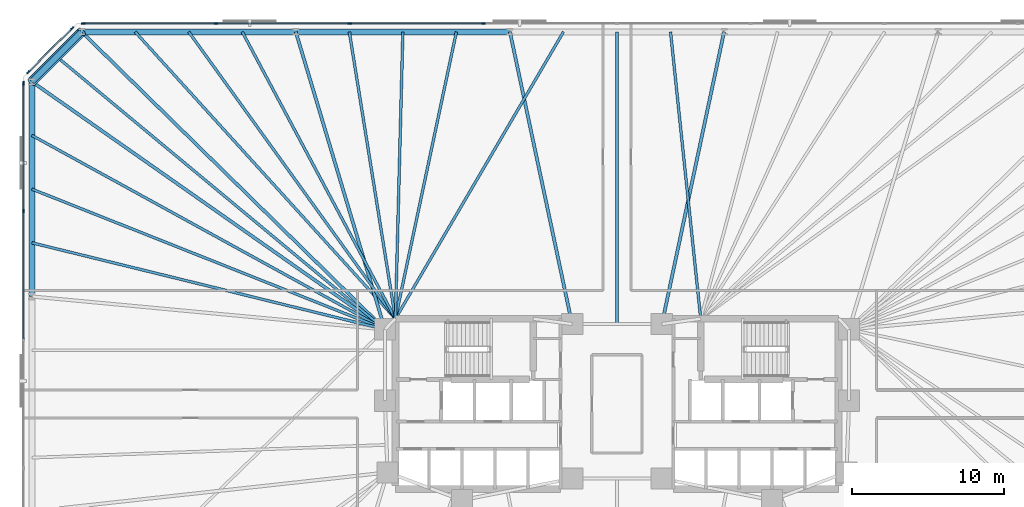
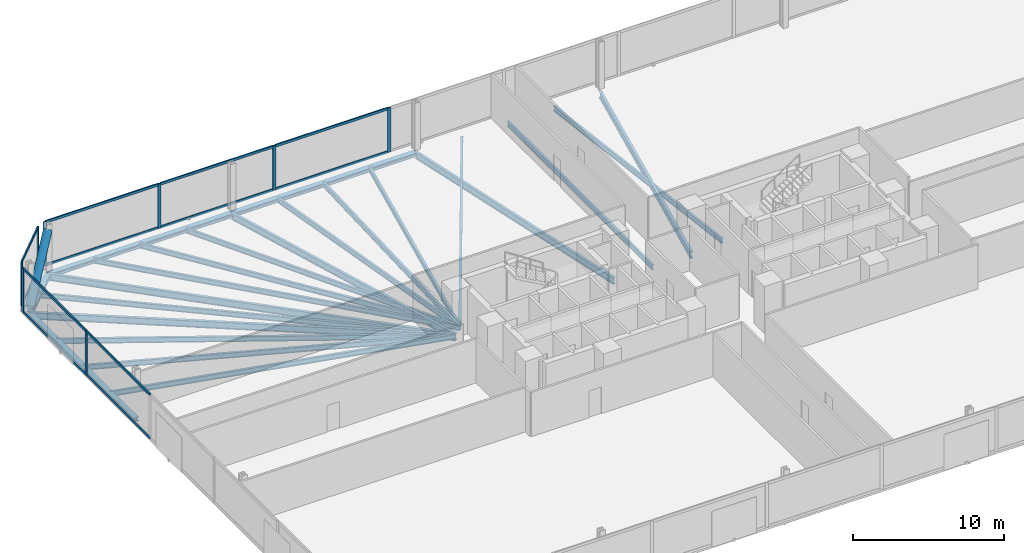
# One storey, part 8 of 16: 22 beams, 21 members, 3 elements without a shape of their own.
"""IFC4 building model written with IfcOpenShell, lengths in metres."""

from ifc_helpers import new_model, si_unit, direction, frame, origin, origin_2d, place, context, subcontext, project, spatial, rectangle, hollow_circle, i_section, extrude, material, material_profile, profile_set, type_object, element, aggregate, save


model = new_model("IFC4")

# Units and contexts
model_context = context("Model", 3, precision=1e-05, world=origin(), true_north=direction((0.0, 1.0)))
body_context = subcontext(model_context, "Body", "Model", "MODEL_VIEW")
ifc_project = project(units=[si_unit("LENGTHUNIT", "METRE"), si_unit("AREAUNIT", "SQUARE_METRE"), si_unit("VOLUMEUNIT", "CUBIC_METRE"), si_unit("PLANEANGLEUNIT", "RADIAN"), si_unit("MASSUNIT", "GRAM", prefix="KILO")], contexts=[model_context])

# Site, building, storey
site_placement = place(None, origin())
site = spatial("IfcSite", under=ifc_project, at=site_placement, CompositionType="ELEMENT")
building_placement = place(site_placement, origin())
building = spatial("IfcBuilding", under=site, at=building_placement, Name="Menara Jurai Vektor", CompositionType="ELEMENT")
storey_placement = place(building_placement, frame((0.0, 0.0, 14.199951171875)))
storey = spatial("IfcBuildingStorey", under=building, at=storey_placement, Name="L02", CompositionType="ELEMENT", Elevation=14.199951171875)

# Curtain wall, members
ifc_material_1 = material(Name="Anodised Pale Aluminium & Low-E Double Glazing", Category="aluminium")
curtain_wall_type = type_object("IfcCurtainWallType", Name="CW-BLK1", PredefinedType="NOTDEFINED", material=ifc_material_1)
curtain_wall_1_placement = place(storey_placement, origin())
curtain_wall_1 = element("IfcCurtainWall", 1, at=curtain_wall_1_placement, inside=storey, type_object=curtain_wall_type, Name="Unitised Curtain Wall L02 F05", PredefinedType="NOTDEFINED")
ifc_material_2 = material(Name="Anodised Pale Aluminium Mullion", Category="aluminium")
ifc_material_profile_1 = material_profile(ifc_material_2, rectangle(XDim=0.094970703125, YDim=0.239990234375, at=origin_2d()), Name="ALU MUL 95x240")
ifc_profile_set_1 = profile_set([ifc_material_profile_1], Name="Anodised Pale Aluminium Mullion")
member_type_1 = type_object("IfcMemberType", Name="CW-BLK1-MUL", PredefinedType="MULLION", material=ifc_profile_set_1)
member_1_placement = place(storey_placement, frame((-8.780029296875, 25.0, 0.0), z_axis=(0.0, 0.0, 1.0), x_axis=(0.0, -1.0, 0.0)))
member_1 = element("IfcMember", 2, at=member_1_placement, type_object=member_type_1, Name="CW-01 mullion 6", PredefinedType="MULLION", context=body_context, shape_type="SweptSolid", body=[
    extrude(rectangle(XDim=0.094970703125, YDim=0.239990234375, at=origin_2d()), origin(), (0.0, 0.0, 1.0), 3.574951171875),
])
member_2_placement = place(storey_placement, frame((-17.56005859375, 25.0, 0.0), z_axis=(0.0, 0.0, 1.0), x_axis=(0.0, -1.0, 0.0)))
member_2 = element("IfcMember", 3, at=member_2_placement, type_object=member_type_1, Name="CW-01 mullion 7", PredefinedType="MULLION", context=body_context, shape_type="SweptSolid", body=[
    extrude(rectangle(XDim=0.094970703125, YDim=0.239990234375, at=origin_2d()), origin(), (0.0, 0.0, 1.0), 3.574951171875),
])
member_3_placement = place(storey_placement, frame((-26.340087890625, 25.0, 0.0), z_axis=(0.0, 0.0, 1.0), x_axis=(0.0, -1.0, 0.0)))
member_3 = element("IfcMember", 4, at=member_3_placement, type_object=member_type_1, Name="CW-01 mullion 8", PredefinedType="MULLION", context=body_context, shape_type="SweptSolid", body=[
    extrude(rectangle(XDim=0.094970703125, YDim=0.239990234375, at=origin_2d()), origin(), (0.0, 0.0, 1.0), 3.574951171875),
])
member_4_placement = place(storey_placement, frame((-35.072509765625, 25.0, 0.0), z_axis=(0.0, 0.0, 1.0), x_axis=(0.0, -1.0, 0.0)))
member_4 = element("IfcMember", 5, at=member_4_placement, type_object=member_type_1, Name="CW-01 mullion 9", PredefinedType="MULLION", context=body_context, shape_type="SweptSolid", body=[
    extrude(rectangle(XDim=0.094970703125, YDim=0.239990234375, at=origin_2d()), origin(), (0.0, 0.0, 1.0), 3.574951171875),
])

curtain_wall_2_placement = place(storey_placement, origin())
curtain_wall_2 = element("IfcCurtainWall", 6, at=curtain_wall_2_placement, inside=storey, type_object=curtain_wall_type, Name="Unitised Curtain Wall L02 F06", PredefinedType="NOTDEFINED")
member_5_placement = place(storey_placement, frame((-35.80224609375, 24.69775390625, 0.0), z_axis=(0.0, 0.0, 1.0), x_axis=(0.707106781187, -0.707106781187, 0.0)))
member_5 = element("IfcMember", 7, at=member_5_placement, type_object=member_type_1, Name="CW-01 mullion 1", PredefinedType="MULLION", context=body_context, shape_type="SweptSolid", body=[
    extrude(rectangle(XDim=0.094970703125, YDim=0.239990234375, at=origin_2d()), origin(), (0.0, 0.0, 1.0), 3.574951171875),
])
member_6_placement = place(storey_placement, frame((-38.69775390625, 21.80224609375, 0.0), z_axis=(0.0, 0.0, 1.0), x_axis=(0.707106781187, -0.707106781187, 0.0)))
member_6 = element("IfcMember", 8, at=member_6_placement, type_object=member_type_1, Name="CW-01 mullion 2", PredefinedType="MULLION", context=body_context, shape_type="SweptSolid", body=[
    extrude(rectangle(XDim=0.094970703125, YDim=0.239990234375, at=origin_2d()), origin(), (0.0, 0.0, 1.0), 3.574951171875),
])

curtain_wall_3_placement = place(storey_placement, origin())
curtain_wall_3 = element("IfcCurtainWall", 9, at=curtain_wall_3_placement, inside=storey, type_object=curtain_wall_type, Name="Unitised Curtain Wall L02 F07", PredefinedType="NOTDEFINED")
member_7_placement = place(storey_placement, frame((-39.0, 21.072509765625, 0.0), z_axis=(0.0, 0.0, 1.0), x_axis=(1.0, 0.0, 0.0)))
member_7 = element("IfcMember", 10, at=member_7_placement, type_object=member_type_1, Name="CW-01 mullion 1", PredefinedType="MULLION", context=body_context, shape_type="SweptSolid", body=[
    extrude(rectangle(XDim=0.094970703125, YDim=0.239990234375, at=origin_2d()), origin(), (0.0, 0.0, 1.0), 3.574951171875),
])
member_8_placement = place(storey_placement, frame((-39.0, 12.672119140625, 0.0), z_axis=(0.0, 0.0, 1.0), x_axis=(1.0, 0.0, 0.0)))
member_8 = element("IfcMember", 11, at=member_8_placement, type_object=member_type_1, Name="CW-01 mullion 2", PredefinedType="MULLION", context=body_context, shape_type="SweptSolid", body=[
    extrude(rectangle(XDim=0.094970703125, YDim=0.239990234375, at=origin_2d()), origin(), (0.0, 0.0, 1.0), 3.574951171875),
])

# Member
ifc_material_3 = material(Name="Anodised Pale Aluminium Transom", Category="aluminium")
ifc_material_profile_2 = material_profile(ifc_material_3, rectangle(XDim=0.094970703125, YDim=0.199951171875, at=origin_2d()), Name="ALU TRN 95x200")
ifc_profile_set_2 = profile_set([ifc_material_profile_2], Name="Anodised Pale Aluminium Transom")
member_type_2 = type_object("IfcMemberType", Name="CW-BLK1-TRN", PredefinedType="USERDEFINED", material=ifc_profile_set_2)
member_9_placement = place(storey_placement, frame((-8.827392578125, 25.0, 0.047607421875), z_axis=(-1.0, 0.0, 0.0), x_axis=(0.0, -1.0, 0.0)))
member_9 = element("IfcMember", 12, at=member_9_placement, type_object=member_type_2, Name="CW-01 transom 6.1", ObjectType="TRANSOM", PredefinedType="USERDEFINED", context=body_context, shape_type="SweptSolid", body=[
    extrude(rectangle(XDim=0.094970703125, YDim=0.199951171875, at=origin_2d()), origin(), (0.0, 0.0, 1.0), 8.68505859375),
])

member_10_placement = place(storey_placement, frame((-8.827392578125, 25.0, 3.527587890625), z_axis=(-1.0, 0.0, 0.0), x_axis=(0.0, -1.0, 0.0)))
member_10 = element("IfcMember", 13, at=member_10_placement, type_object=member_type_2, Name="CW-01 transom 6.2", ObjectType="TRANSOM", PredefinedType="USERDEFINED", context=body_context, shape_type="SweptSolid", body=[
    extrude(rectangle(XDim=0.094970703125, YDim=0.199951171875, at=origin_2d()), origin(), (0.0, 0.0, 1.0), 8.68505859375),
])

member_11_placement = place(storey_placement, frame((-17.607421875, 25.0, 0.047607421875), z_axis=(-1.0, 0.0, 0.0), x_axis=(0.0, -1.0, 0.0)))
member_11 = element("IfcMember", 14, at=member_11_placement, type_object=member_type_2, Name="CW-01 transom 7.1", ObjectType="TRANSOM", PredefinedType="USERDEFINED", context=body_context, shape_type="SweptSolid", body=[
    extrude(rectangle(XDim=0.094970703125, YDim=0.199951171875, at=origin_2d()), origin(), (0.0, 0.0, 1.0), 8.68505859375),
])

member_12_placement = place(storey_placement, frame((-17.607421875, 25.0, 3.527587890625), z_axis=(-1.0, 0.0, 0.0), x_axis=(0.0, -1.0, 0.0)))
member_12 = element("IfcMember", 15, at=member_12_placement, type_object=member_type_2, Name="CW-01 transom 7.2", ObjectType="TRANSOM", PredefinedType="USERDEFINED", context=body_context, shape_type="SweptSolid", body=[
    extrude(rectangle(XDim=0.094970703125, YDim=0.199951171875, at=origin_2d()), origin(), (0.0, 0.0, 1.0), 8.68505859375),
])

member_13_placement = place(storey_placement, frame((-26.387451171875, 25.0, 0.047607421875), z_axis=(-1.0, 0.0, 0.0), x_axis=(0.0, -1.0, 0.0)))
member_13 = element("IfcMember", 16, at=member_13_placement, type_object=member_type_2, Name="CW-01 transom 8.1", ObjectType="TRANSOM", PredefinedType="USERDEFINED", context=body_context, shape_type="SweptSolid", body=[
    extrude(rectangle(XDim=0.094970703125, YDim=0.199951171875, at=origin_2d()), origin(), (0.0, 0.0, 1.0), 8.637451171875),
])

member_14_placement = place(storey_placement, frame((-26.387451171875, 25.0, 3.527587890625), z_axis=(-1.0, 0.0, 0.0), x_axis=(0.0, -1.0, 0.0)))
member_14 = element("IfcMember", 17, at=member_14_placement, type_object=member_type_2, Name="CW-01 transom 8.2", ObjectType="TRANSOM", PredefinedType="USERDEFINED", context=body_context, shape_type="SweptSolid", body=[
    extrude(rectangle(XDim=0.094970703125, YDim=0.199951171875, at=origin_2d()), origin(), (0.0, 0.0, 1.0), 8.637451171875),
])

aggregate(curtain_wall_1, [member_1, member_2, member_3, member_4, member_9, member_10, member_11, member_12, member_13, member_14])

member_15_placement = place(storey_placement, frame((-35.8359375, 24.6640625, 0.047607421875), z_axis=(-0.707106781187, -0.707106781187, 0.0), x_axis=(0.707106781187, -0.707106781187, 0.0)))
member_15 = element("IfcMember", 18, at=member_15_placement, type_object=member_type_2, Name="CW-01 transom 1.1", ObjectType="TRANSOM", PredefinedType="USERDEFINED", context=body_context, shape_type="SweptSolid", body=[
    extrude(rectangle(XDim=0.094970703125, YDim=0.199951171875, at=origin_2d()), origin(), (0.0, 0.0, 1.0), 3.99951171875),
])

member_16_placement = place(storey_placement, frame((-35.8359375, 24.6640625, 3.527587890625), z_axis=(-0.707106781187, -0.707106781187, 0.0), x_axis=(0.707106781187, -0.707106781187, 0.0)))
member_16 = element("IfcMember", 19, at=member_16_placement, type_object=member_type_2, Name="CW-01 transom 1.2", ObjectType="TRANSOM", PredefinedType="USERDEFINED", context=body_context, shape_type="SweptSolid", body=[
    extrude(rectangle(XDim=0.094970703125, YDim=0.199951171875, at=origin_2d()), origin(), (0.0, 0.0, 1.0), 3.99951171875),
])

aggregate(curtain_wall_2, [member_5, member_6, member_15, member_16])

member_17_placement = place(storey_placement, frame((-39.0, 21.02490234375, 0.047607421875), z_axis=(0.0, -1.0, 0.0), x_axis=(1.0, 0.0, 0.0)))
member_17 = element("IfcMember", 20, at=member_17_placement, type_object=member_type_2, Name="CW-01 transom 1.1", ObjectType="TRANSOM", PredefinedType="USERDEFINED", context=body_context, shape_type="SweptSolid", body=[
    extrude(rectangle(XDim=0.094970703125, YDim=0.199951171875, at=origin_2d()), origin(), (0.0, 0.0, 1.0), 8.305419921875),
])

member_18_placement = place(storey_placement, frame((-39.0, 21.02490234375, 3.527587890625), z_axis=(0.0, -1.0, 0.0), x_axis=(1.0, 0.0, 0.0)))
member_18 = element("IfcMember", 21, at=member_18_placement, type_object=member_type_2, Name="CW-01 transom 1.2", ObjectType="TRANSOM", PredefinedType="USERDEFINED", context=body_context, shape_type="SweptSolid", body=[
    extrude(rectangle(XDim=0.094970703125, YDim=0.199951171875, at=origin_2d()), origin(), (0.0, 0.0, 1.0), 8.305419921875),
])

member_19_placement = place(storey_placement, frame((-39.0, 12.62451171875, 0.047607421875), z_axis=(0.0, -1.0, 0.0), x_axis=(1.0, 0.0, 0.0)))
member_19 = element("IfcMember", 22, at=member_19_placement, type_object=member_type_2, Name="CW-01 transom 2.1", ObjectType="TRANSOM", PredefinedType="USERDEFINED", context=body_context, shape_type="SweptSolid", body=[
    extrude(rectangle(XDim=0.094970703125, YDim=0.199951171875, at=origin_2d()), origin(), (0.0, 0.0, 1.0), 8.35302734375),
])

member_20_placement = place(storey_placement, frame((-39.0, 12.62451171875, 3.527587890625), z_axis=(0.0, -1.0, 0.0), x_axis=(1.0, 0.0, 0.0)))
member_20 = element("IfcMember", 23, at=member_20_placement, type_object=member_type_2, Name="CW-01 transom 2.2", ObjectType="TRANSOM", PredefinedType="USERDEFINED", context=body_context, shape_type="SweptSolid", body=[
    extrude(rectangle(XDim=0.094970703125, YDim=0.199951171875, at=origin_2d()), origin(), (0.0, 0.0, 1.0), 8.35302734375),
])

aggregate(curtain_wall_3, [member_7, member_8, member_17, member_18, member_19, member_20])

# Beams
ifc_material_4 = material(Name="Steel S355", Category="steel")
ifc_material_profile_3 = material_profile(ifc_material_4, i_section(OverallWidth=0.2109375, OverallDepth=0.5390625, WebThickness=0.011962890625, FlangeThickness=0.01904296875, FilletRadius=0.012939453125, at=origin_2d()), Name="UKB 533x210x109")
ifc_profile_set_3 = profile_set([ifc_material_profile_3], Name="Steel S355")
beam_type_1 = type_object("IfcBeamType", Name="STR-BM-533", PredefinedType="BEAM", material=ifc_profile_set_3)
for number, where, z_axis, x_axis, name in (
    (24, (7.03564453125, 24.449951171875, -0.494384765625), (-0.2081367579, -0.978099734184, 0.0), (0.978099734184, -0.2081367579, 0.0), "Radial Floor Girder L02-N3"),
    (25, (-7.03564453125, 24.449951171875, -0.494384765625), (0.2081367579, -0.978099734184, 0.0), (0.978099734184, 0.2081367579, 0.0), "Radial Floor Girder L02-N4"),
):
    element("IfcBeam", number, at=place(storey_placement, frame(where, z_axis=z_axis, x_axis=x_axis)), inside=storey, type_object=beam_type_1, Name=name, PredefinedType="BEAM", context=body_context, shape_type="SweptSolid", body=[
        extrude(i_section(OverallWidth=0.2109375, OverallDepth=0.5390625, WebThickness=0.011962890625, FlangeThickness=0.01904296875, FilletRadius=0.012939453125, at=origin_2d()), origin(), (0.0, 0.0, 1.0), 19.6298828125),
    ])
beam_1_placement = place(storey_placement, frame((-21.106689453125, 24.449951171875, -0.494384765625), z_axis=(0.286973617166, -0.957938486047, 0.0), x_axis=(0.957938486047, 0.286973617166, 0.0)))
element("IfcBeam", 26, at=beam_1_placement, inside=storey, type_object=beam_type_1, Name="Radial Floor Girder L02-N5", PredefinedType="BEAM", context=body_context, shape_type="SweptSolid", body=[
    extrude(i_section(OverallWidth=0.2109375, OverallDepth=0.5390625, WebThickness=0.011962890625, FlangeThickness=0.01904296875, FilletRadius=0.012939453125, at=origin_2d()), origin(), (0.0, 0.0, 1.0), 20.408447265625),
])
beam_2_placement = place(storey_placement, frame((-35.177734375, 24.449951171875, -0.494384765625), z_axis=(0.713839032855, -0.700309813706, 0.0), x_axis=(0.700309813706, 0.713839032855, 0.0)))
element("IfcBeam", 27, at=beam_2_placement, inside=storey, type_object=beam_type_1, Name="Radial Floor Girder L02-N6", PredefinedType="BEAM", context=body_context, shape_type="SweptSolid", body=[
    extrude(i_section(OverallWidth=0.2109375, OverallDepth=0.5390625, WebThickness=0.011962890625, FlangeThickness=0.01904296875, FilletRadius=0.012939453125, at=origin_2d()), origin(), (0.0, 0.0, 1.0), 27.916259765625),
])
beam_3_placement = place(storey_placement, frame((-38.449951171875, 21.177734375, -0.494384765625), z_axis=(0.818603732445, -0.574358711283, 0.0), x_axis=(0.574358711283, 0.818603732445, 0.0)))
element("IfcBeam", 28, at=beam_3_placement, inside=storey, type_object=beam_type_1, Name="Radial Floor Girder L02-W1", PredefinedType="BEAM", context=body_context, shape_type="SweptSolid", body=[
    extrude(i_section(OverallWidth=0.2109375, OverallDepth=0.5390625, WebThickness=0.011962890625, FlangeThickness=0.01904296875, FilletRadius=0.012939453125, at=origin_2d()), origin(), (0.0, 0.0, 1.0), 28.3408203125),
])
ifc_material_5 = material(Name="Steel S460", Category="steel")
ifc_material_profile_4 = material_profile(ifc_material_5, i_section(OverallWidth=0.39697265625, OverallDepth=0.31591796875, WebThickness=0.030029296875, FlangeThickness=0.048095703125, FilletRadius=0.014892578125, at=origin_2d()), Name="HD 400x382")
ifc_profile_set_4 = profile_set([ifc_material_profile_4], Name="Steel S460")
beam_type_2 = type_object("IfcBeamType", Name="STR-BM-CHORD382", PredefinedType="SPANDREL", material=ifc_profile_set_4)
for number, where, z_axis, x_axis, name in (
    (29, (-7.03564453125, 24.449951171875, -0.383056640625), (-1.0, 0.0, 0.0), (0.0, -1.0, 0.0), "Exoskeleton Spandrel Beam L02-14"),
    (30, (-21.106689453125, 24.449951171875, -0.383056640625), (-1.0, 0.0, 0.0), (0.0, -1.0, 0.0), "Exoskeleton Spandrel Beam L02-15"),
):
    element("IfcBeam", number, at=place(storey_placement, frame(where, z_axis=z_axis, x_axis=x_axis)), inside=storey, type_object=beam_type_2, Name=name, PredefinedType="SPANDREL", context=body_context, shape_type="SweptSolid", body=[
        extrude(i_section(OverallWidth=0.39697265625, OverallDepth=0.31591796875, WebThickness=0.030029296875, FlangeThickness=0.048095703125, FilletRadius=0.014892578125, at=origin_2d()), origin(), (0.0, 0.0, 1.0), 14.071044921875),
    ])
beam_4_placement = place(storey_placement, frame((-35.177734375, 24.449951171875, -0.383056640625), z_axis=(-0.707106781187, -0.707106781187, 0.0), x_axis=(0.707106781187, -0.707106781187, 0.0)))
element("IfcBeam", 31, at=beam_4_placement, inside=storey, type_object=beam_type_2, Name="Exoskeleton Spandrel Beam L02-16", PredefinedType="SPANDREL", context=body_context, shape_type="SweptSolid", body=[
    extrude(i_section(OverallWidth=0.39697265625, OverallDepth=0.31591796875, WebThickness=0.030029296875, FlangeThickness=0.048095703125, FilletRadius=0.014892578125, at=origin_2d()), origin(), (0.0, 0.0, 1.0), 4.627685546875),
])
beam_5_placement = place(storey_placement, frame((-38.449951171875, 21.177734375, -0.383056640625), z_axis=(0.0, -1.0, 0.0), x_axis=(1.0, 0.0, 0.0)))
element("IfcBeam", 32, at=beam_5_placement, inside=storey, type_object=beam_type_2, Name="Exoskeleton Spandrel Beam L02-17", PredefinedType="SPANDREL", context=body_context, shape_type="SweptSolid", body=[
    extrude(i_section(OverallWidth=0.39697265625, OverallDepth=0.31591796875, WebThickness=0.030029296875, FlangeThickness=0.048095703125, FilletRadius=0.014892578125, at=origin_2d()), origin(), (0.0, 0.0, 1.0), 14.118408203125),
])

# Member
ifc_material_profile_5 = material_profile(ifc_material_5, hollow_circle(Radius=0.304931640625, WallThickness=0.02490234375, at=origin_2d()), Name="CHS 610x25")
ifc_profile_set_5 = profile_set([ifc_material_profile_5], Name="Steel S460")
member_type_3 = type_object("IfcMemberType", Name="STR-BR-610", PredefinedType="BRACE", material=ifc_profile_set_5)
member_21_placement = place(storey_placement, frame((-38.449951171875, 21.177734375, 0.150146484375), z_axis=(0.588942422958, 0.588942422958, 0.553438022619), x_axis=(-0.707106781187, 0.707106781187, 0.0)))
element("IfcMember", 33, at=member_21_placement, inside=storey, type_object=member_type_3, Name="Exoskeleton Corner Brace L02-3", PredefinedType="BRACE", context=body_context, shape_type="SweptSolid", body=[
    extrude(hollow_circle(Radius=0.304931640625, WallThickness=0.02490234375, at=origin_2d()), origin(), (0.0, 0.0, 1.0), 5.55615234375),
])

# Beams
ifc_material_profile_6 = material_profile(ifc_material_4, i_section(OverallWidth=0.178955078125, OverallDepth=0.408935546875, WebThickness=0.009033203125, FlangeThickness=0.013916015625, FilletRadius=0.010009765625, at=origin_2d()), Name="UKB 406x178x67")
ifc_profile_set_6 = profile_set([ifc_material_profile_6], Name="Steel S355")
beam_type_3 = type_object("IfcBeamType", Name="STR-JS-406", PredefinedType="JOIST", material=ifc_profile_set_6)
beam_6_placement = place(storey_placement, frame((3.517822265625, 24.449951171875, -0.429443359375), z_axis=(0.104579513969, -0.994516528399, 0.0), x_axis=(0.994516528399, 0.104579513969, 0.0)))
element("IfcBeam", 34, at=beam_6_placement, inside=storey, type_object=beam_type_3, Name="Radial Secondary Floor Joist L02-JS22", PredefinedType="JOIST", context=body_context, shape_type="SweptSolid", body=[
    extrude(i_section(OverallWidth=0.178955078125, OverallDepth=0.408935546875, WebThickness=0.009033203125, FlangeThickness=0.013916015625, FilletRadius=0.010009765625, at=origin_2d()), origin(), (0.0, 0.0, 1.0), 18.953857421875),
])
beam_7_placement = place(storey_placement, frame((0.0, 24.449951171875, -0.429443359375), z_axis=(0.0, -1.0, 0.0), x_axis=(1.0, 0.0, 0.0)))
element("IfcBeam", 35, at=beam_7_placement, inside=storey, type_object=beam_type_3, Name="Radial Secondary Floor Joist L02-JS23", PredefinedType="JOIST", context=body_context, shape_type="SweptSolid", body=[
    extrude(i_section(OverallWidth=0.178955078125, OverallDepth=0.408935546875, WebThickness=0.009033203125, FlangeThickness=0.013916015625, FilletRadius=0.010009765625, at=origin_2d()), origin(), (0.0, 0.0, 1.0), 19.199951171875),
])
beam_8_placement = place(storey_placement, frame((-3.517822265625, 24.449951171875, -0.429443359375), z_axis=(-0.505457909797, -0.862851262631, 0.0), x_axis=(0.862851262631, -0.505457909797, 0.0)))
element("IfcBeam", 36, at=beam_8_placement, inside=storey, type_object=beam_type_3, Name="Radial Secondary Floor Joist L02-JS24", PredefinedType="JOIST", context=body_context, shape_type="SweptSolid", body=[
    extrude(i_section(OverallWidth=0.178955078125, OverallDepth=0.408935546875, WebThickness=0.009033203125, FlangeThickness=0.013916015625, FilletRadius=0.010009765625, at=origin_2d()), origin(), (0.0, 0.0, 1.0), 21.845947265625),
])
beam_9_placement = place(storey_placement, frame((-10.55322265625, 24.449951171875, -0.429443359375), z_axis=(-0.207920423262, -0.978145744555, 0.0), x_axis=(0.978145744555, -0.207920423262, 0.0)))
element("IfcBeam", 37, at=beam_9_placement, inside=storey, type_object=beam_type_3, Name="Radial Secondary Floor Joist L02-JS25", PredefinedType="JOIST", context=body_context, shape_type="SweptSolid", body=[
    extrude(i_section(OverallWidth=0.178955078125, OverallDepth=0.408935546875, WebThickness=0.009033203125, FlangeThickness=0.013916015625, FilletRadius=0.010009765625, at=origin_2d()), origin(), (0.0, 0.0, 1.0), 19.27099609375),
])
beam_10_placement = place(storey_placement, frame((-14.071044921875, 24.449951171875, -0.429443359375), z_axis=(-0.02593384597, -0.999663661255, 0.0), x_axis=(0.999663661255, -0.02593384597, 0.0)))
element("IfcBeam", 38, at=beam_10_placement, inside=storey, type_object=beam_type_3, Name="Radial Secondary Floor Joist L02-JS26", PredefinedType="JOIST", context=body_context, shape_type="SweptSolid", body=[
    extrude(i_section(OverallWidth=0.178955078125, OverallDepth=0.408935546875, WebThickness=0.009033203125, FlangeThickness=0.013916015625, FilletRadius=0.010009765625, at=origin_2d()), origin(), (0.0, 0.0, 1.0), 18.856201171875),
])
beam_11_placement = place(storey_placement, frame((-17.5888671875, 24.449951171875, -0.429443359375), z_axis=(0.158645817656, -0.987335558227, 0.0), x_axis=(0.987335558227, 0.158645817656, 0.0)))
element("IfcBeam", 39, at=beam_11_placement, inside=storey, type_object=beam_type_3, Name="Radial Secondary Floor Joist L02-JS27", PredefinedType="JOIST", context=body_context, shape_type="SweptSolid", body=[
    extrude(i_section(OverallWidth=0.178955078125, OverallDepth=0.408935546875, WebThickness=0.009033203125, FlangeThickness=0.013916015625, FilletRadius=0.010009765625, at=origin_2d()), origin(), (0.0, 0.0, 1.0), 19.091552734375),
])
beam_12_placement = place(storey_placement, frame((-24.62451171875, 24.449951171875, -0.429443359375), z_axis=(0.470996174599, -0.882135252392, 0.0), x_axis=(0.882135252392, 0.470996174599, 0.0)))
element("IfcBeam", 40, at=beam_12_placement, inside=storey, type_object=beam_type_3, Name="Radial Secondary Floor Joist L02-JS28", PredefinedType="JOIST", context=body_context, shape_type="SweptSolid", body=[
    extrude(i_section(OverallWidth=0.178955078125, OverallDepth=0.408935546875, WebThickness=0.009033203125, FlangeThickness=0.013916015625, FilletRadius=0.010009765625, at=origin_2d()), origin(), (0.0, 0.0, 1.0), 21.368408203125),
])
beam_13_placement = place(storey_placement, frame((-28.142333984375, 24.449951171875, -0.429443359375), z_axis=(0.584598948369, -0.811322420229, 0.0), x_axis=(0.811322420229, 0.584598948369, 0.0)))
element("IfcBeam", 41, at=beam_13_placement, inside=storey, type_object=beam_type_3, Name="Radial Secondary Floor Joist L02-JS29", PredefinedType="JOIST", context=body_context, shape_type="SweptSolid", body=[
    extrude(i_section(OverallWidth=0.178955078125, OverallDepth=0.408935546875, WebThickness=0.009033203125, FlangeThickness=0.013916015625, FilletRadius=0.010009765625, at=origin_2d()), origin(), (0.0, 0.0, 1.0), 23.2333984375),
])
beam_14_placement = place(storey_placement, frame((-31.659912109375, 24.449951171875, -0.429443359375), z_axis=(0.671889844346, -0.740651089964, 0.0), x_axis=(0.740651089964, 0.671889844346, 0.0)))
element("IfcBeam", 42, at=beam_14_placement, inside=storey, type_object=beam_type_3, Name="Radial Secondary Floor Joist L02-JS30", PredefinedType="JOIST", context=body_context, shape_type="SweptSolid", body=[
    extrude(i_section(OverallWidth=0.178955078125, OverallDepth=0.408935546875, WebThickness=0.009033203125, FlangeThickness=0.013916015625, FilletRadius=0.010009765625, at=origin_2d()), origin(), (0.0, 0.0, 1.0), 25.450439453125),
])
beam_15_placement = place(storey_placement, frame((-36.81396484375, 22.81396484375, -0.429443359375), z_axis=(0.769201173096, -0.639006694259, 0.0), x_axis=(0.639006694259, 0.769201173096, 0.0)))
element("IfcBeam", 43, at=beam_15_placement, inside=storey, type_object=beam_type_3, Name="Radial Secondary Floor Joist L02-JS31", PredefinedType="JOIST", context=body_context, shape_type="SweptSolid", body=[
    extrude(i_section(OverallWidth=0.178955078125, OverallDepth=0.408935546875, WebThickness=0.009033203125, FlangeThickness=0.013916015625, FilletRadius=0.010009765625, at=origin_2d()), origin(), (0.0, 0.0, 1.0), 28.0341796875),
])
beam_16_placement = place(storey_placement, frame((-38.449951171875, 17.648193359375, -0.429443359375), z_axis=(0.87640219057, -0.481579900291, 0.0), x_axis=(0.481579900291, 0.87640219057, 0.0)))
element("IfcBeam", 44, at=beam_16_placement, inside=storey, type_object=beam_type_3, Name="Radial Secondary Floor Joist L02-JS32", PredefinedType="JOIST", context=body_context, shape_type="SweptSolid", body=[
    extrude(i_section(OverallWidth=0.178955078125, OverallDepth=0.408935546875, WebThickness=0.009033203125, FlangeThickness=0.013916015625, FilletRadius=0.010009765625, at=origin_2d()), origin(), (0.0, 0.0, 1.0), 26.471923828125),
])
beam_17_placement = place(storey_placement, frame((-38.449951171875, 14.118408203125, -0.429443359375), z_axis=(0.929323400723, -0.369266864027, 0.0), x_axis=(0.369266864027, 0.929323400723, 0.0)))
element("IfcBeam", 45, at=beam_17_placement, inside=storey, type_object=beam_type_3, Name="Radial Secondary Floor Joist L02-JS33", PredefinedType="JOIST", context=body_context, shape_type="SweptSolid", body=[
    extrude(i_section(OverallWidth=0.178955078125, OverallDepth=0.408935546875, WebThickness=0.009033203125, FlangeThickness=0.013916015625, FilletRadius=0.010009765625, at=origin_2d()), origin(), (0.0, 0.0, 1.0), 24.96435546875),
])
beam_18_placement = place(storey_placement, frame((-38.449951171875, 10.5888671875, -0.429443359375), z_axis=(0.971226234641, -0.238158772976, 0.0), x_axis=(0.238158772976, 0.971226234641, 0.0)))
element("IfcBeam", 46, at=beam_18_placement, inside=storey, type_object=beam_type_3, Name="Radial Secondary Floor Joist L02-JS34", PredefinedType="JOIST", context=body_context, shape_type="SweptSolid", body=[
    extrude(i_section(OverallWidth=0.178955078125, OverallDepth=0.408935546875, WebThickness=0.009033203125, FlangeThickness=0.013916015625, FilletRadius=0.010009765625, at=origin_2d()), origin(), (0.0, 0.0, 1.0), 23.88720703125),
])

save(model, "model.ifc")
